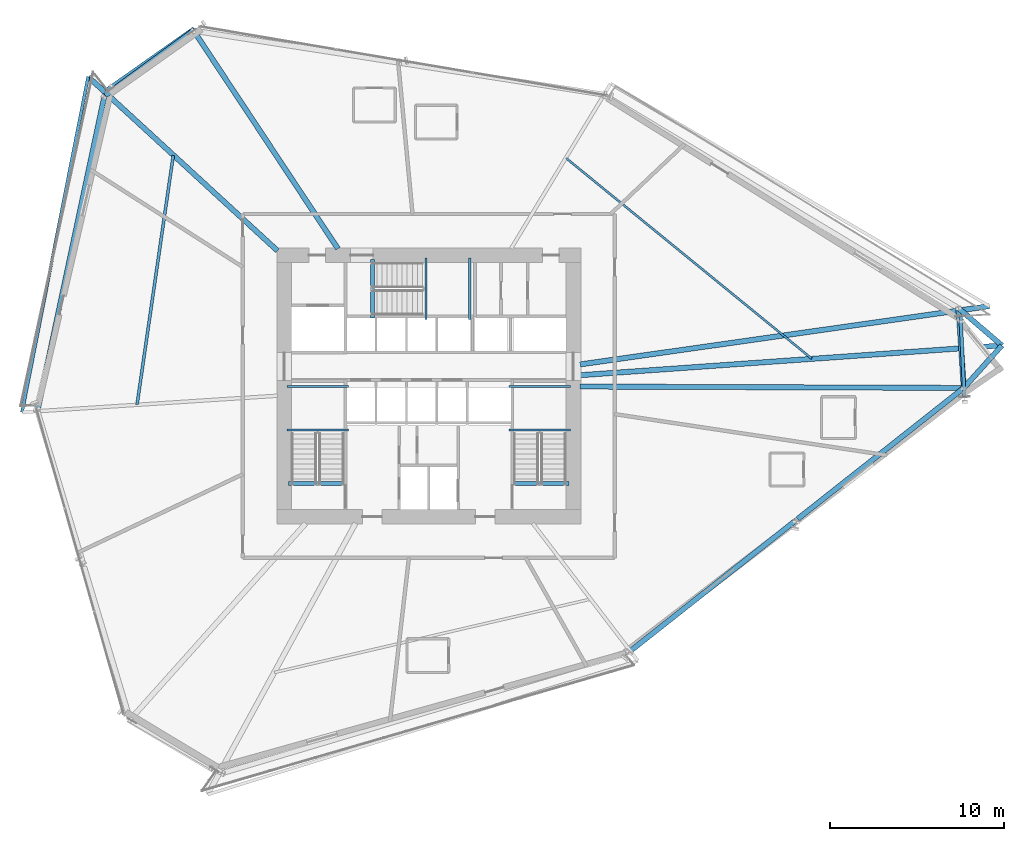
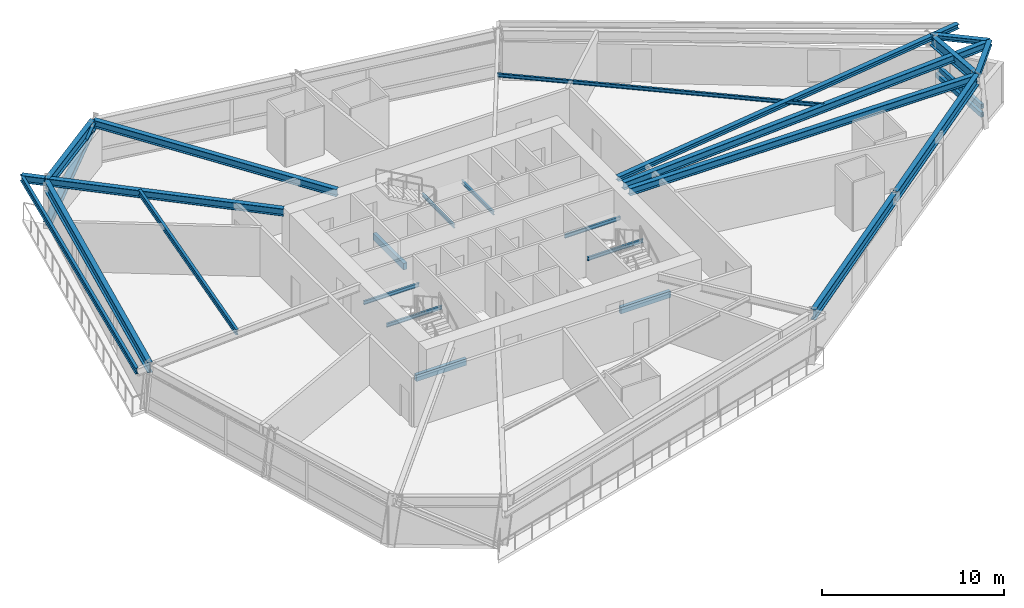
# One storey, part 7 of 21: 24 beams, 3 members.
"""IFC4 building model written with IfcOpenShell, lengths in metres."""

from ifc_helpers import new_model, si_unit, direction, frame, origin, origin_2d, place, context, subcontext, project, spatial, rectangle, hollow_rectangle, i_section, extrude, source, transform, mapped, material, material_profile, profile_set, type_object, element, save


model = new_model("IFC4")

# Units and contexts
model_context = context("Model", 3, precision=1e-05, world=origin(), true_north=direction((0.0, 1.0)))
body_context = subcontext(model_context, "Body", "Model", "MODEL_VIEW")
ifc_project = project(units=[si_unit("LENGTHUNIT", "METRE"), si_unit("AREAUNIT", "SQUARE_METRE"), si_unit("VOLUMEUNIT", "CUBIC_METRE"), si_unit("PLANEANGLEUNIT", "RADIAN"), si_unit("MASSUNIT", "GRAM", prefix="KILO")], contexts=[model_context])

# Site, building, storey
site_placement = place(None, origin())
site = spatial("IfcSite", under=ifc_project, at=site_placement, CompositionType="ELEMENT")
building_placement = place(site_placement, origin())
building = spatial("IfcBuilding", under=site, at=building_placement, Name="Olszyna Solenne Hotel", CompositionType="ELEMENT")
storey_placement = place(building_placement, frame((0.0, 0.0, 47.050048828125)))
storey = spatial("IfcBuildingStorey", under=building, at=storey_placement, Name="L11", CompositionType="ELEMENT", Elevation=47.050048828125)

# Beams
ifc_material_1 = material(Name="Steel S355J2", Category="steel")
ifc_material_profile_1 = material_profile(ifc_material_1, i_section(OverallWidth=0.300048828125, OverallDepth=0.699951171875, WebThickness=0.01708984375, FlangeThickness=0.031982421875, at=origin_2d()), Name="HEB 700", Category="load-bearing")
ifc_profile_set_1 = profile_set([ifc_material_profile_1], Name="Steel S355J2")
beam_type_1 = type_object("IfcBeamType", Name="BM-S1", PredefinedType="BEAM", material=ifc_profile_set_1)
shared_shape_1 = source(origin(), body_context, "Body", "SweptSolid", [
    extrude(i_section(OverallWidth=0.300048828125, OverallDepth=0.699951171875, WebThickness=0.01708984375, FlangeThickness=0.031982421875, at=origin_2d()), origin(), (0.0, 0.0, 1.0), 4.47314453125),
])
beam_1_placement = place(storey_placement, frame((68.79248046875, 26.54736328125, 2.949951171875), z_axis=(-0.065439478837, 0.997856540095, 0.0), x_axis=(-0.997856540095, -0.065439478837, 0.0)))
element("IfcBeam", 1, at=beam_1_placement, inside=storey, type_object=beam_type_1, Name="Perimeter spandrel beam BM-S1 B-L11-0347", PredefinedType="BEAM", context=body_context, shape_type="MappedRepresentation", body=[
    mapped(shared_shape_1, transform((0.0, 0.0, 0.0), x_axis=(1.0, 0.0, 0.0), y_axis=(0.0, 1.0, 0.0), z_axis=(0.0, 0.0, 1.0), scale=1.0)),
])
shared_shape_2 = source(origin(), body_context, "Body", "SweptSolid", [
    extrude(i_section(OverallWidth=0.300048828125, OverallDepth=0.699951171875, WebThickness=0.01708984375, FlangeThickness=0.031982421875, at=origin_2d()), origin(), (0.0, 0.0, 1.0), 6.24609375),
])
beam_2_placement = place(storey_placement, frame((24.417724609375, 47.014404296875, 2.949951171875), z_axis=(-0.806925362356, -0.590653417485, 0.0), x_axis=(0.590653417485, -0.806925362356, 0.0)))
element("IfcBeam", 2, at=beam_2_placement, inside=storey, type_object=beam_type_1, Name="Perimeter spandrel beam BM-S1 B-L11-0351", PredefinedType="BEAM", context=body_context, shape_type="MappedRepresentation", body=[
    mapped(shared_shape_2, transform((0.0, 0.0, 0.0), x_axis=(1.0, 0.0, 0.0), y_axis=(0.0, 1.0, 0.0), z_axis=(0.0, 0.0, 1.0), scale=1.0)),
])
shared_shape_3 = source(origin(), body_context, "Body", "SweptSolid", [
    extrude(i_section(OverallWidth=0.300048828125, OverallDepth=0.699951171875, WebThickness=0.01708984375, FlangeThickness=0.031982421875, at=origin_2d()), origin(), (0.0, 0.0, 1.0), 18.4248046875),
])
beam_3_placement = place(storey_placement, frame((19.31689453125, 43.231201171875, 2.949951171875), z_axis=(-0.207968737363, -0.978135473378, 0.0), x_axis=(0.978135473378, -0.207968737363, 0.0)))
element("IfcBeam", 3, at=beam_3_placement, inside=storey, type_object=beam_type_1, Name="Perimeter spandrel beam BM-S1 B-L11-0352", PredefinedType="BEAM", context=body_context, shape_type="MappedRepresentation", body=[
    mapped(shared_shape_3, transform((0.0, 0.0, 0.0), x_axis=(1.0, 0.0, 0.0), y_axis=(0.0, 1.0, 0.0), z_axis=(0.0, 0.0, 1.0), scale=1.0)),
])
shared_shape_4 = source(origin(), body_context, "Body", "SweptSolid", [
    extrude(i_section(OverallWidth=0.300048828125, OverallDepth=0.699951171875, WebThickness=0.01708984375, FlangeThickness=0.031982421875, at=origin_2d()), origin(), (0.0, 0.0, 1.0), 12.123779296875),
])
beam_4_placement = place(storey_placement, frame((49.618896484375, 11.357666015625, 2.949951171875), z_axis=(0.785100243278, 0.619368717329, 0.0), x_axis=(-0.619368717329, 0.785100243278, 0.0)))
element("IfcBeam", 4, at=beam_4_placement, inside=storey, type_object=beam_type_1, Name="Perimeter spandrel beam BM-S1 B-L11-0357", PredefinedType="BEAM", context=body_context, shape_type="MappedRepresentation", body=[
    mapped(shared_shape_4, transform((0.0, 0.0, 0.0), x_axis=(1.0, 0.0, 0.0), y_axis=(0.0, 1.0, 0.0), z_axis=(0.0, 0.0, 1.0), scale=1.0)),
])
shared_shape_5 = source(origin(), body_context, "Body", "SweptSolid", [
    extrude(i_section(OverallWidth=0.300048828125, OverallDepth=0.699951171875, WebThickness=0.01708984375, FlangeThickness=0.031982421875, at=origin_2d()), origin(), (0.0, 0.0, 1.0), 12.12353515625),
])
beam_5_placement = place(storey_placement, frame((59.231201171875, 18.941162109375, 2.949951171875), z_axis=(0.785092518, 0.619378509622, 0.0), x_axis=(-0.619378509622, 0.785092518, 0.0)))
element("IfcBeam", 5, at=beam_5_placement, inside=storey, type_object=beam_type_1, Name="Perimeter spandrel beam BM-S1 B-L11-0358", PredefinedType="BEAM", context=body_context, shape_type="MappedRepresentation", body=[
    mapped(shared_shape_5, transform((0.0, 0.0, 0.0), x_axis=(1.0, 0.0, 0.0), y_axis=(0.0, 1.0, 0.0), z_axis=(0.0, 0.0, 1.0), scale=1.0)),
])
ifc_material_profile_2 = material_profile(ifc_material_1, i_section(OverallWidth=0.300048828125, OverallDepth=0.489990234375, WebThickness=0.011962890625, FlangeThickness=0.02294921875, at=origin_2d()), Name="HEA 500", Category="load-bearing")
ifc_profile_set_2 = profile_set([ifc_material_profile_2], Name="Steel S355J2")
beam_type_2 = type_object("IfcBeamType", Name="BM-G1", PredefinedType="BEAM", material=ifc_profile_set_2)
shared_shape_6 = source(origin(), body_context, "Body", "SweptSolid", [
    extrude(i_section(OverallWidth=0.300048828125, OverallDepth=0.489990234375, WebThickness=0.011962890625, FlangeThickness=0.02294921875, at=origin_2d()), origin(), (0.0, 0.0, 1.0), 22.03662109375),
])
beam_6_placement = place(storey_placement, frame((68.736328125, 26.48779296875, 3.054931640625), z_axis=(-0.999993357108, 0.003644960886, 0.0), x_axis=(-0.003644960886, -0.999993357108, 0.0)))
element("IfcBeam", 6, at=beam_6_placement, inside=storey, type_object=beam_type_2, Name="Radial floor girder BM-G1 B-L11-0359", PredefinedType="BEAM", context=body_context, shape_type="MappedRepresentation", body=[
    mapped(shared_shape_6, transform((0.0, 0.0, 0.0), x_axis=(1.0, 0.0, 0.0), y_axis=(0.0, 1.0, 0.0), z_axis=(0.0, 0.0, 1.0), scale=1.0)),
])
shared_shape_7 = source(origin(), body_context, "Body", "SweptSolid", [
    extrude(i_section(OverallWidth=0.300048828125, OverallDepth=0.489990234375, WebThickness=0.011962890625, FlangeThickness=0.02294921875, at=origin_2d()), origin(), (0.0, 0.0, 1.0), 24.331298828125),
])
beam_7_placement = place(storey_placement, frame((70.97119140625, 28.931396484375, 3.054931640625), z_axis=(-0.997519654866, -0.070388480283, 0.0), x_axis=(0.070388480283, -0.997519654866, 0.0)))
element("IfcBeam", 7, at=beam_7_placement, inside=storey, type_object=beam_type_2, Name="Radial floor girder BM-G1 B-L11-0360", PredefinedType="BEAM", context=body_context, shape_type="MappedRepresentation", body=[
    mapped(shared_shape_7, transform((0.0, 0.0, 0.0), x_axis=(1.0, 0.0, 0.0), y_axis=(0.0, 1.0, 0.0), z_axis=(0.0, 0.0, 1.0), scale=1.0)),
])
shared_shape_8 = source(origin(), body_context, "Body", "SweptSolid", [
    extrude(i_section(OverallWidth=0.300048828125, OverallDepth=0.489990234375, WebThickness=0.011962890625, FlangeThickness=0.02294921875, at=origin_2d()), origin(), (0.0, 0.0, 1.0), 14.979248046875),
])
beam_8_placement = place(storey_placement, frame((24.499267578125, 46.999755859375, 3.054931640625), z_axis=(0.551887403256, -0.833918637595, 0.0), x_axis=(0.833918637595, 0.551887403256, 0.0)))
element("IfcBeam", 8, at=beam_8_placement, inside=storey, type_object=beam_type_2, Name="Radial floor girder BM-G1 B-L11-0362", PredefinedType="BEAM", context=body_context, shape_type="MappedRepresentation", body=[
    mapped(shared_shape_8, transform((0.0, 0.0, 0.0), x_axis=(1.0, 0.0, 0.0), y_axis=(0.0, 1.0, 0.0), z_axis=(0.0, 0.0, 1.0), scale=1.0)),
])
shared_shape_9 = source(origin(), body_context, "Body", "SweptSolid", [
    extrude(i_section(OverallWidth=0.300048828125, OverallDepth=0.489990234375, WebThickness=0.011962890625, FlangeThickness=0.02294921875, at=origin_2d()), origin(), (0.0, 0.0, 1.0), 14.775634765625),
])
beam_9_placement = place(storey_placement, frame((18.40771484375, 44.3857421875, 3.054931640625), z_axis=(0.736325740822, -0.676627226324, 0.0), x_axis=(0.676627226324, 0.736325740822, 0.0)))
element("IfcBeam", 9, at=beam_9_placement, inside=storey, type_object=beam_type_2, Name="Radial floor girder BM-G1 B-L11-0363", PredefinedType="BEAM", context=body_context, shape_type="MappedRepresentation", body=[
    mapped(shared_shape_9, transform((0.0, 0.0, 0.0), x_axis=(1.0, 0.0, 0.0), y_axis=(0.0, 1.0, 0.0), z_axis=(0.0, 0.0, 1.0), scale=1.0)),
])
ifc_material_profile_3 = material_profile(ifc_material_1, i_section(OverallWidth=0.300048828125, OverallDepth=0.31005859375, WebThickness=0.009033203125, FlangeThickness=0.015380859375, at=origin_2d()), Name="HEA 320", Category="load-bearing")
ifc_profile_set_3 = profile_set([ifc_material_profile_3], Name="Steel S355J2")
beam_type_3 = type_object("IfcBeamType", Name="BM-G3", PredefinedType="BEAM", material=ifc_profile_set_3)
shared_shape_10 = source(origin(), body_context, "Body", "SweptSolid", [
    extrude(i_section(OverallWidth=0.300048828125, OverallDepth=0.31005859375, WebThickness=0.009033203125, FlangeThickness=0.015380859375, at=origin_2d()), origin(), (0.0, 0.0, 1.0), 3.285888671875),
])
for number, where, z_axis, x_axis, name in (
    (10, (68.79638671875, 26.487548828125, 3.14501953125), (0.667962502733, 0.744194930742, 0.0), (-0.744194930742, 0.667962502733, 0.0), "Prism side edge beam BM-G3 B-L11-0368"),
    (11, (68.495849609375, 31.07080078125, 3.14501953125), (0.759398187328, -0.650626154626, 0.0), (0.650626154626, 0.759398187328, 0.0), "Prism side edge beam BM-G3 B-L11-0369"),
):
    element("IfcBeam", number, at=place(storey_placement, frame(where, z_axis=z_axis, x_axis=x_axis)), inside=storey, type_object=beam_type_3, Name=name, PredefinedType="BEAM", context=body_context, shape_type="MappedRepresentation", body=[
        mapped(shared_shape_10, transform((0.0, 0.0, 0.0), x_axis=(1.0, 0.0, 0.0), y_axis=(0.0, 1.0, 0.0), z_axis=(0.0, 0.0, 1.0), scale=1.0)),
    ])
shared_shape_11 = source(origin(), body_context, "Body", "SweptSolid", [
    extrude(i_section(OverallWidth=0.300048828125, OverallDepth=0.31005859375, WebThickness=0.009033203125, FlangeThickness=0.015380859375, at=origin_2d()), origin(), (0.0, 0.0, 1.0), 23.809814453125),
])
beam_10_placement = place(storey_placement, frame((70.2724609375, 31.19580078125, 3.14501953125), z_axis=(-0.990012558199, -0.140979199207, 0.0), x_axis=(0.140979199207, -0.990012558199, 0.0)))
element("IfcBeam", 12, at=beam_10_placement, inside=storey, type_object=beam_type_3, Name="Loggia/prism radial back-span girder BM-G3 B-L11-0370", PredefinedType="BEAM", context=body_context, shape_type="MappedRepresentation", body=[
    mapped(shared_shape_11, transform((0.0, 0.0, 0.0), x_axis=(1.0, 0.0, 0.0), y_axis=(0.0, 1.0, 0.0), z_axis=(0.0, 0.0, 1.0), scale=1.0)),
])
ifc_material_profile_4 = material_profile(ifc_material_1, i_section(OverallWidth=0.1201171875, OverallDepth=0.239990234375, WebThickness=0.006103515625, FlangeThickness=0.009765625, at=origin_2d()), Name="IPE 240", Category="load-bearing")
ifc_profile_set_4 = profile_set([ifc_material_profile_4], Name="Steel S355J2")
beam_type_4 = type_object("IfcBeamType", Name="JS-03", PredefinedType="JOIST", material=ifc_profile_set_4)
shared_shape_12 = source(origin(), body_context, "Body", "SweptSolid", [
    extrude(i_section(OverallWidth=0.1201171875, OverallDepth=0.239990234375, WebThickness=0.006103515625, FlangeThickness=0.009765625, at=origin_2d()), origin(), (0.0, 0.0, 1.0), 18.252197265625),
])
beam_11_placement = place(storey_placement, frame((60.044677734375, 28.174072265625, 3.179931640625), z_axis=(-0.774713618462, 0.632312272038, 0.0), x_axis=(-0.632312272038, -0.774713618462, 0.0)))
element("IfcBeam", 13, at=beam_11_placement, inside=storey, type_object=beam_type_4, Name="Secondary composite floor joist JS-03 B-L11-0371", PredefinedType="JOIST", context=body_context, shape_type="MappedRepresentation", body=[
    mapped(shared_shape_12, transform((0.0, 0.0, 0.0), x_axis=(1.0, 0.0, 0.0), y_axis=(0.0, 1.0, 0.0), z_axis=(0.0, 0.0, 1.0), scale=1.0)),
])
ifc_material_profile_5 = material_profile(ifc_material_1, i_section(OverallWidth=0.169921875, OverallDepth=0.360107421875, WebThickness=0.008056640625, FlangeThickness=0.0126953125, at=origin_2d()), Name="IPE 360", Category="load-bearing")
ifc_profile_set_5 = profile_set([ifc_material_profile_5], Name="Steel S355J2")
beam_type_5 = type_object("IfcBeamType", Name="JS-01", PredefinedType="JOIST", material=ifc_profile_set_5)
shared_shape_13 = source(origin(), body_context, "Body", "SweptSolid", [
    extrude(i_section(OverallWidth=0.169921875, OverallDepth=0.360107421875, WebThickness=0.008056640625, FlangeThickness=0.0126953125, at=origin_2d()), origin(), (0.0, 0.0, 1.0), 14.48876953125),
])
beam_12_placement = place(storey_placement, frame((23.29248046875, 39.87451171875, 3.119873046875), z_axis=(-0.143784731606, -0.989608988923, 0.0), x_axis=(0.989608988923, -0.143784731606, 0.0)))
element("IfcBeam", 14, at=beam_12_placement, inside=storey, type_object=beam_type_5, Name="Secondary composite floor joist JS-01 B-L11-0372", PredefinedType="JOIST", context=body_context, shape_type="MappedRepresentation", body=[
    mapped(shared_shape_13, transform((0.0, 0.0, 0.0), x_axis=(1.0, 0.0, 0.0), y_axis=(0.0, 1.0, 0.0), z_axis=(0.0, 0.0, 1.0), scale=1.0)),
])
ifc_material_profile_6 = material_profile(ifc_material_1, i_section(OverallWidth=0.179931640625, OverallDepth=0.39990234375, WebThickness=0.008544921875, FlangeThickness=0.013427734375, at=origin_2d()), Name="IPE 400", Category="load-bearing")
ifc_profile_set_6 = profile_set([ifc_material_profile_6], Name="Steel S355J2")
beam_type_6 = type_object("IfcBeamType", Name="BM-F5", PredefinedType="BEAM", material=ifc_profile_set_6)
shared_shape_14 = source(origin(), body_context, "Body", "SweptSolid", [
    extrude(i_section(OverallWidth=0.179931640625, OverallDepth=0.39990234375, WebThickness=0.008544921875, FlangeThickness=0.013427734375, at=origin_2d()), origin(), (0.0, 0.0, 1.0), 19.68310546875),
])
beam_13_placement = place(storey_placement, frame((18.392822265625, 44.3994140625, 3.099853515625), z_axis=(-0.193482071191, -0.981103811086, 0.0), x_axis=(0.981103811086, -0.193482071191, 0.0)))
element("IfcBeam", 15, at=beam_13_placement, inside=storey, type_object=beam_type_6, Name="Loggia outer edge beam BM-F5 B-L11-0375", PredefinedType="BEAM", context=body_context, shape_type="MappedRepresentation", body=[
    mapped(shared_shape_14, transform((0.0, 0.0, 0.0), x_axis=(1.0, 0.0, 0.0), y_axis=(0.0, 1.0, 0.0), z_axis=(0.0, 0.0, 1.0), scale=1.0)),
])

# Members
ifc_material_profile_7 = material_profile(ifc_material_1, hollow_rectangle(XDim=0.199951171875, YDim=0.300048828125, WallThickness=0.01611328125, at=origin_2d()), Name="RHS 300x200x16", Category="load-bearing")
ifc_profile_set_7 = profile_set([ifc_material_profile_7], Name="Steel S355J2")
member_type_1 = type_object("IfcMemberType", Name="CH-PR1", PredefinedType="CHORD", material=ifc_profile_set_7)
shared_shape_15 = source(origin(), body_context, "Body", "SweptSolid", [
    extrude(hollow_rectangle(XDim=0.199951171875, YDim=0.300048828125, WallThickness=0.01611328125, at=origin_2d()), origin(), (0.0, 0.0, 1.0), 4.63134765625),
])
for number, where, z_axis, x_axis, name in (
    (16, (68.8359375, 25.9873046875, 1.349853515625), (-0.049708883495, 0.998763749293, 0.0), (-0.998763749293, -0.049708883495, 0.0), "Glass-prism tie chord CH-PR1 M-L11-PR1"),
    (17, (68.8359375, 25.9873046875, 0.780029296875), (-0.049708883495, 0.998763749293, 0.0), (-0.998763749293, -0.049708883495, 0.0), "Glass-prism tie chord CH-PR1 M-L11-PR2"),
):
    element("IfcMember", number, at=place(storey_placement, frame(where, z_axis=z_axis, x_axis=x_axis)), inside=storey, type_object=member_type_1, Name=name, PredefinedType="CHORD", context=body_context, shape_type="MappedRepresentation", body=[
        mapped(shared_shape_15, transform((0.0, 0.0, 0.0), x_axis=(1.0, 0.0, 0.0), y_axis=(0.0, 1.0, 0.0), z_axis=(0.0, 0.0, 1.0), scale=1.0)),
    ])
ifc_material_2 = material(Name="Steel S460M", Category="steel")
ifc_material_profile_8 = material_profile(ifc_material_2, i_section(OverallWidth=0.412109375, OverallDepth=0.43505859375, WebThickness=0.031494140625, FlangeThickness=0.050048828125, at=origin_2d()), Name="HD 400x463", Category="load-bearing")
ifc_profile_set_8 = profile_set([ifc_material_profile_8], Name="Steel S460M")
member_type_2 = type_object("IfcMemberType", Name="BR-T1", PredefinedType="BRACE", material=ifc_profile_set_8)
shared_shape_16 = source(origin(), body_context, "Body", "SweptSolid", [
    extrude(i_section(OverallWidth=0.412109375, OverallDepth=0.43505859375, WebThickness=0.031494140625, FlangeThickness=0.050048828125, at=origin_2d()), origin(), (0.0, 0.0, 1.0), 6.677734375),
])
member_placement = place(storey_placement, frame((19.549560546875, 43.5888671875, 0.010009765625), z_axis=(0.736293495246, 0.518282764219, 0.435034326428), x_axis=(-0.575605043718, 0.817727848154, 0.0)))
element("IfcMember", 18, at=member_placement, inside=storey, type_object=member_type_2, Name="Perimeter braced-tube diagonal BR-T1 BR-L11-2", PredefinedType="BRACE", context=body_context, shape_type="MappedRepresentation", body=[
    mapped(shared_shape_16, transform((0.0, 0.0, 0.0), x_axis=(1.0, 0.0, 0.0), y_axis=(0.0, 1.0, 0.0), z_axis=(0.0, 0.0, 1.0), scale=1.0)),
])

# Beams
shared_shape_17 = source(origin(), body_context, "Body", "SweptSolid", [
    extrude(i_section(OverallWidth=0.1201171875, OverallDepth=0.239990234375, WebThickness=0.006103515625, FlangeThickness=0.009765625, at=origin_2d()), origin(), (0.0, 0.0, 1.0), 3.539794921875),
])
for number, where, z_axis, x_axis, name in (
    (19, (33.3798828125, 24.070068359375, 1.449951171875), (-1.0, 0.0, 0.0), (0.0, -1.0, 0.0), "Stair landing support beam JS-03 SLB-ST1-0027"),
    (20, (33.3798828125, 26.580078125, 1.449951171875), (-1.0, 0.0, 0.0), (0.0, -1.0, 0.0), "Stair landing support beam JS-03 SLB-ST1-0028"),
    (21, (46.159912109375, 24.070068359375, 1.449951171875), (-1.0, 0.0, 0.0), (0.0, -1.0, 0.0), "Stair landing support beam JS-03 SLB-ST2-0267"),
    (22, (46.159912109375, 26.580078125, 1.449951171875), (-1.0, 0.0, 0.0), (0.0, -1.0, 0.0), "Stair landing support beam JS-03 SLB-ST2-0268"),
):
    element("IfcBeam", number, at=place(storey_placement, frame(where, z_axis=z_axis, x_axis=x_axis)), inside=storey, type_object=beam_type_4, Name=name, PredefinedType="JOIST", context=body_context, shape_type="MappedRepresentation", body=[
        mapped(shared_shape_17, transform((0.0, 0.0, 0.0), x_axis=(1.0, 0.0, 0.0), y_axis=(0.0, 1.0, 0.0), z_axis=(0.0, 0.0, 1.0), scale=1.0)),
    ])
ifc_material_3 = material(Name="Concrete C50/60", Category="concrete")
ifc_material_profile_9 = material_profile(ifc_material_3, rectangle(XDim=0.219970703125, YDim=0.43994140625, at=origin_2d()), Name="RC 220x440", Category="load-bearing")
ifc_profile_set_9 = profile_set([ifc_material_profile_9], Name="Concrete C50/60")
beam_type_7 = type_object("IfcBeamType", Name="BM-ST1", PredefinedType="BEAM", material=ifc_profile_set_9)
shared_shape_18 = source(origin(), body_context, "Body", "SweptSolid", [
    extrude(rectangle(XDim=0.219970703125, YDim=0.43994140625, at=origin_2d()), origin(), (0.0, 0.0, 1.0), 3.18017578125),
])
for number, where, z_axis, x_axis, name in (
    (23, (33.10009765625, 20.97998046875, -0.205078125), (-1.0, 0.0, 0.0), (0.0, -1.0, 0.0), "Concrete stair trimmer beam BM-ST1 SHB-ST1-0173"),
    (24, (46.080078125, 20.97998046875, -0.205078125), (-1.0, 0.0, 0.0), (0.0, -1.0, 0.0), "Concrete stair trimmer beam BM-ST1 SHB-ST2-0413"),
):
    element("IfcBeam", number, at=place(storey_placement, frame(where, z_axis=z_axis, x_axis=x_axis)), inside=storey, type_object=beam_type_7, Name=name, PredefinedType="BEAM", context=body_context, shape_type="MappedRepresentation", body=[
        mapped(shared_shape_18, transform((0.0, 0.0, 0.0), x_axis=(1.0, 0.0, 0.0), y_axis=(0.0, 1.0, 0.0), z_axis=(0.0, 0.0, 1.0), scale=1.0)),
    ])
shared_shape_19 = source(origin(), body_context, "Body", "SweptSolid", [
    extrude(i_section(OverallWidth=0.1201171875, OverallDepth=0.239990234375, WebThickness=0.006103515625, FlangeThickness=0.009765625, at=origin_2d()), origin(), (0.0, 0.0, 1.0), 3.5400390625),
])
for number, where, z_axis, x_axis, name in (
    (25, (37.85009765625, 30.419921875, 1.449951171875), (0.0, 1.0, 0.0), (-1.0, 0.0, 0.0), "Stair landing support beam JS-03 SLB-ST3-0507"),
    (26, (40.360107421875, 30.419921875, 1.449951171875), (0.0, 1.0, 0.0), (-1.0, 0.0, 0.0), "Stair landing support beam JS-03 SLB-ST3-0508"),
):
    element("IfcBeam", number, at=place(storey_placement, frame(where, z_axis=z_axis, x_axis=x_axis)), inside=storey, type_object=beam_type_4, Name=name, PredefinedType="JOIST", context=body_context, shape_type="MappedRepresentation", body=[
        mapped(shared_shape_19, transform((0.0, 0.0, 0.0), x_axis=(1.0, 0.0, 0.0), y_axis=(0.0, 1.0, 0.0), z_axis=(0.0, 0.0, 1.0), scale=1.0)),
    ])
shared_shape_20 = source(origin(), body_context, "Body", "SweptSolid", [
    extrude(rectangle(XDim=0.219970703125, YDim=0.43994140625, at=origin_2d()), origin(), (0.0, 0.0, 1.0), 3.3798828125),
])
beam_14_placement = place(storey_placement, frame((34.760009765625, 30.5, -0.205078125), z_axis=(0.0, 1.0, 0.0), x_axis=(-1.0, 0.0, 0.0)))
element("IfcBeam", 27, at=beam_14_placement, inside=storey, type_object=beam_type_7, Name="Concrete stair trimmer beam BM-ST1 SHB-ST3-0651", PredefinedType="BEAM", context=body_context, shape_type="MappedRepresentation", body=[
    mapped(shared_shape_20, transform((0.0, 0.0, 0.0), x_axis=(1.0, 0.0, 0.0), y_axis=(0.0, 1.0, 0.0), z_axis=(0.0, 0.0, 1.0), scale=1.0)),
])

save(model, "model.ifc")
